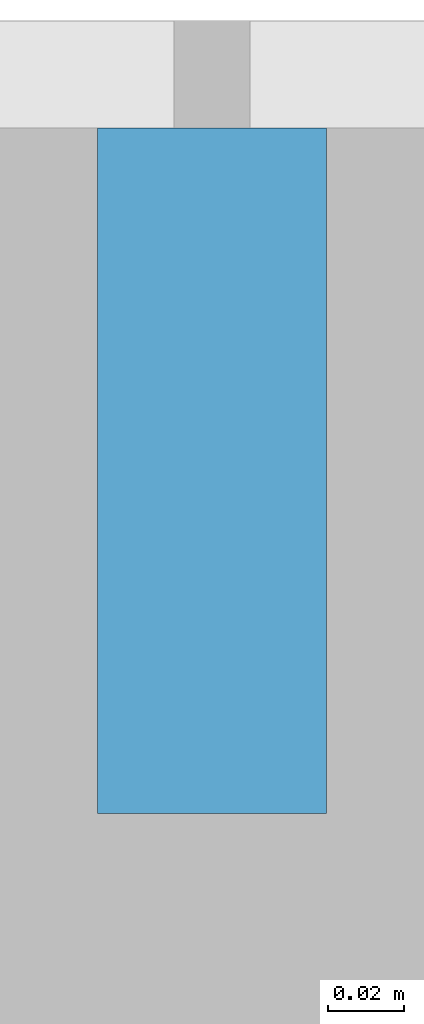
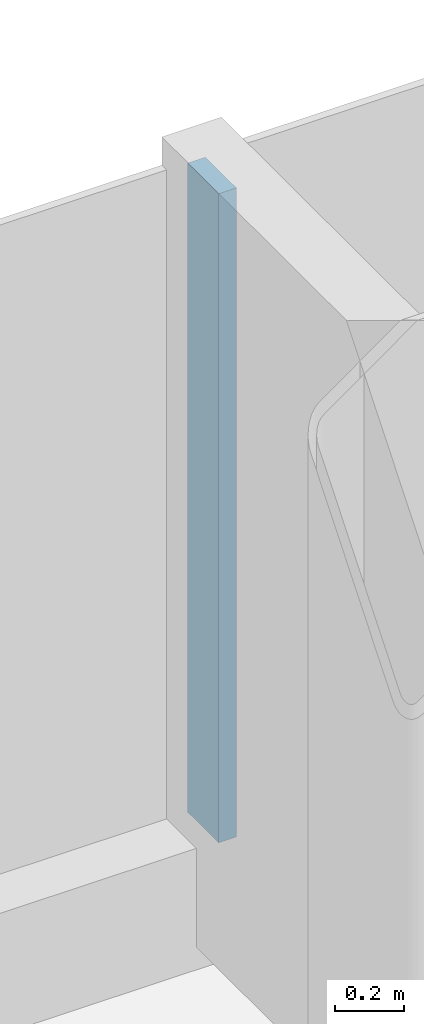
# One storey, part 9 of 26: 1 member, 1 element without a shape of its own.
"""IFC4 building model written with IfcOpenShell, lengths in metres."""

from ifc_helpers import new_model, si_unit, direction, frame, origin, origin_2d, place, context, subcontext, project, spatial, rectangle, extrude, material, layer, layer_set, material_profile, profile_set, type_object, element, aggregate, save


model = new_model("IFC4")

# Units and contexts
model_context = context("Model", 3, precision=1e-05, world=origin(), true_north=direction((0.0, 1.0)))
body_context = subcontext(model_context, "Body", "Model", "MODEL_VIEW")
ifc_project = project(units=[si_unit("LENGTHUNIT", "METRE"), si_unit("AREAUNIT", "SQUARE_METRE"), si_unit("VOLUMEUNIT", "CUBIC_METRE"), si_unit("PLANEANGLEUNIT", "RADIAN"), si_unit("MASSUNIT", "GRAM", prefix="KILO")], contexts=[model_context])

# Site, building, storey
site_placement = place(None, origin())
site = spatial("IfcSite", under=ifc_project, at=site_placement, CompositionType="ELEMENT")
building_placement = place(site_placement, origin())
building = spatial("IfcBuilding", under=site, at=building_placement, Name="Hakoniwa Tower and Hamabe Station Hall", CompositionType="ELEMENT")
storey_placement = place(building_placement, frame((0.0, 0.0, 221.800048828125)))
storey = spatial("IfcBuildingStorey", under=building, at=storey_placement, Name="L63", CompositionType="ELEMENT", Elevation=221.800048828125)

# Curtain wall, member
ifc_material_1 = material(Name="Dark low-e laminated glass", Category="glass")
ifc_layer = layer(ifc_material_1, 0.199951171875)
ifc_layer_set = layer_set([ifc_layer], Name="CW-1 UNITISED GUEST")
curtain_wall_type = type_object("IfcCurtainWallType", Name="CW-1 UNITISED GUEST", PredefinedType="NOTDEFINED", material=ifc_layer_set)
curtain_wall_placement = place(storey_placement, origin())
curtain_wall = element("IfcCurtainWall", 1, at=curtain_wall_placement, inside=storey, type_object=curtain_wall_type, Name="CW-1 curtain wall", PredefinedType="NOTDEFINED")
ifc_material_2 = material(Name="Aluminium 6063-T5 black anodised", Category="aluminium")
ifc_material_profile = material_profile(ifc_material_2, rectangle(XDim=0.06005859375, YDim=0.179931640625, at=origin_2d()), Name="CW-1 MULLION 60X180")
ifc_profile_set = profile_set([ifc_material_profile], Name="Aluminium 6063-T5 black anodised")
member_type = type_object("IfcMemberType", Name="CW-1 MULLION 60X180", PredefinedType="MULLION", material=ifc_profile_set)
member_placement = place(storey_placement, frame((16.800048828125, 20.431884765625, 0.349853515625), z_axis=(0.0, 0.0, 1.0), x_axis=(-1.0, 0.0, 0.0)))
member = element("IfcMember", 2, at=member_placement, type_object=member_type, Name="CW-1 mullion", PredefinedType="MULLION", context=body_context, shape_type="SweptSolid", body=[
    extrude(rectangle(XDim=0.06005859375, YDim=0.179931640625, at=origin_2d()), origin(), (0.0, 0.0, 1.0), 2.300048828125),
])
aggregate(curtain_wall, [member])

save(model, "model.ifc")
